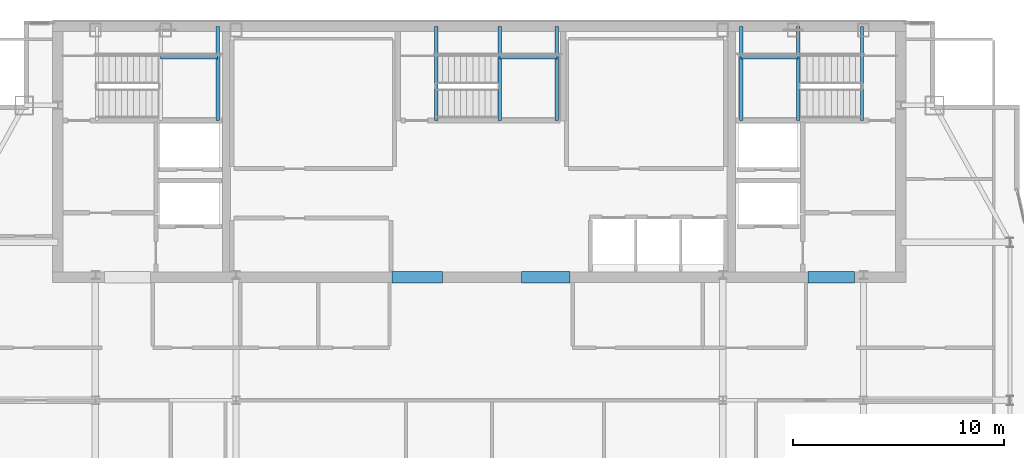
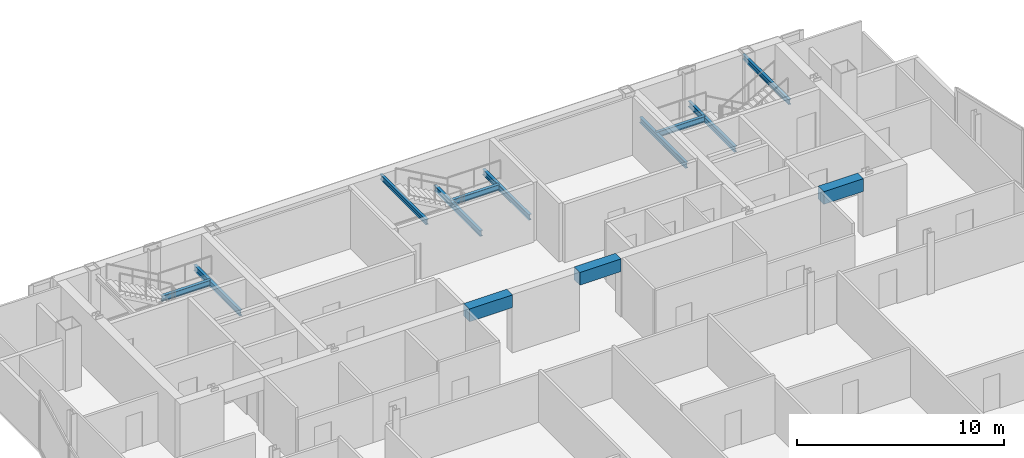
# One storey, part 21 of 29: 13 beams.
"""IFC4 building model written with IfcOpenShell, lengths in metres."""

from ifc_helpers import new_model, si_unit, direction, frame, origin, origin_2d, place, context, subcontext, project, spatial, rectangle, i_section, extrude, material, material_profile, profile_set, type_object, element, save


model = new_model("IFC4")

# Units and contexts
model_context = context("Model", 3, precision=1e-05, world=origin(), true_north=direction((0.0, 1.0)))
body_context = subcontext(model_context, "Body", "Model", "MODEL_VIEW")
ifc_project = project(units=[si_unit("LENGTHUNIT", "METRE"), si_unit("AREAUNIT", "SQUARE_METRE"), si_unit("VOLUMEUNIT", "CUBIC_METRE"), si_unit("PLANEANGLEUNIT", "RADIAN"), si_unit("MASSUNIT", "GRAM", prefix="KILO")], contexts=[model_context])

# Site, building, storey
site_placement = place(None, origin())
site = spatial("IfcSite", under=ifc_project, at=site_placement, CompositionType="ELEMENT")
building_placement = place(site_placement, origin())
building = spatial("IfcBuilding", under=site, at=building_placement, Name="Khoronbel Lancet Exchange", CompositionType="ELEMENT")
storey_placement = place(building_placement, frame((0.0, 0.0, 321.800048828125)))
storey = spatial("IfcBuildingStorey", under=building, at=storey_placement, Name="L83", CompositionType="ELEMENT", Elevation=321.800048828125)

# Beams
ifc_material_1 = material(Name="Steel S355", Category="steel")
ifc_material_profile_1 = material_profile(ifc_material_1, i_section(OverallWidth=0.159912109375, OverallDepth=0.330078125, WebThickness=0.007568359375, FlangeThickness=0.011474609375, at=origin_2d()), Name="IPE 330")
ifc_profile_set_1 = profile_set([ifc_material_profile_1], Name="Steel S355")
beam_type_1 = type_object("IfcBeamType", Name="BM-BJ7", PredefinedType="JOIST", material=ifc_profile_set_1)
beam_1_placement = place(storey_placement, frame((24.030029296875, 48.97998046875, 1.43505859375), z_axis=(0.0, 1.0, 0.0), x_axis=(-1.0, 0.0, 0.0)))
element("IfcBeam", 1, at=beam_1_placement, inside=storey, type_object=beam_type_1, Name="Level L83 stair ST1 rear landing bearer beam 1", PredefinedType="JOIST", context=body_context, shape_type="SweptSolid", body=[
    extrude(i_section(OverallWidth=0.159912109375, OverallDepth=0.330078125, WebThickness=0.007568359375, FlangeThickness=0.011474609375, at=origin_2d()), origin(), (0.0, 0.0, 1.0), 4.469970703125),
])
beam_2_placement = place(storey_placement, frame((21.320068359375, 51.97998046875, 1.43505859375), z_axis=(1.0, 0.0, 0.0), x_axis=(0.0, 1.0, 0.0)))
element("IfcBeam", 2, at=beam_2_placement, inside=storey, type_object=beam_type_1, Name="Level L83 stair ST1 landing cross trimmer beam 1", PredefinedType="JOIST", context=body_context, shape_type="SweptSolid", body=[
    extrude(i_section(OverallWidth=0.159912109375, OverallDepth=0.330078125, WebThickness=0.007568359375, FlangeThickness=0.011474609375, at=origin_2d()), origin(), (0.0, 0.0, 1.0), 2.7099609375),
])
for number, where, z_axis, x_axis, name in (
    (3, (51.580078125, 48.97998046875, 1.43505859375), (0.0, 1.0, 0.0), (-1.0, 0.0, 0.0), "Level L83 stair ST2 landing bearer beam 1"),
    (4, (48.8701171875, 48.97998046875, 1.43505859375), (0.0, 1.0, 0.0), (-1.0, 0.0, 0.0), "Level L83 stair ST2 rear landing bearer beam 1"),
):
    element("IfcBeam", number, at=place(storey_placement, frame(where, z_axis=z_axis, x_axis=x_axis)), inside=storey, type_object=beam_type_1, Name=name, PredefinedType="JOIST", context=body_context, shape_type="SweptSolid", body=[
        extrude(i_section(OverallWidth=0.159912109375, OverallDepth=0.330078125, WebThickness=0.007568359375, FlangeThickness=0.011474609375, at=origin_2d()), origin(), (0.0, 0.0, 1.0), 4.469970703125),
    ])
beam_3_placement = place(storey_placement, frame((48.8701171875, 51.97998046875, 1.43505859375), z_axis=(1.0, 0.0, 0.0), x_axis=(0.0, 1.0, 0.0)))
element("IfcBeam", 5, at=beam_3_placement, inside=storey, type_object=beam_type_1, Name="Level L83 stair ST2 landing cross trimmer beam 1", PredefinedType="JOIST", context=body_context, shape_type="SweptSolid", body=[
    extrude(i_section(OverallWidth=0.159912109375, OverallDepth=0.330078125, WebThickness=0.007568359375, FlangeThickness=0.011474609375, at=origin_2d()), origin(), (0.0, 0.0, 1.0), 2.7099609375),
])
for number, where, z_axis, x_axis, name in (
    (6, (37.419921875, 48.97998046875, 1.43505859375), (0.0, 1.0, 0.0), (-1.0, 0.0, 0.0), "Level L83 stair ST3 landing bearer beam 1"),
    (7, (40.1298828125, 48.97998046875, 1.43505859375), (0.0, 1.0, 0.0), (-1.0, 0.0, 0.0), "Level L83 stair ST3 rear landing bearer beam 1"),
):
    element("IfcBeam", number, at=place(storey_placement, frame(where, z_axis=z_axis, x_axis=x_axis)), inside=storey, type_object=beam_type_1, Name=name, PredefinedType="JOIST", context=body_context, shape_type="SweptSolid", body=[
        extrude(i_section(OverallWidth=0.159912109375, OverallDepth=0.330078125, WebThickness=0.007568359375, FlangeThickness=0.011474609375, at=origin_2d()), origin(), (0.0, 0.0, 1.0), 4.469970703125),
    ])
beam_4_placement = place(storey_placement, frame((37.419921875, 51.97998046875, 1.43505859375), z_axis=(1.0, 0.0, 0.0), x_axis=(0.0, 1.0, 0.0)))
element("IfcBeam", 8, at=beam_4_placement, inside=storey, type_object=beam_type_1, Name="Level L83 stair ST3 landing cross trimmer beam 1", PredefinedType="JOIST", context=body_context, shape_type="SweptSolid", body=[
    extrude(i_section(OverallWidth=0.159912109375, OverallDepth=0.330078125, WebThickness=0.007568359375, FlangeThickness=0.011474609375, at=origin_2d()), origin(), (0.0, 0.0, 1.0), 2.7099609375),
])
ifc_material_profile_2 = material_profile(ifc_material_1, i_section(OverallWidth=0.14990234375, OverallDepth=0.300048828125, WebThickness=0.007080078125, FlangeThickness=0.0107421875, at=origin_2d()), Name="IPE 300")
ifc_profile_set_2 = profile_set([ifc_material_profile_2], Name="Steel S355")
beam_type_2 = type_object("IfcBeamType", Name="BM-BJ8", PredefinedType="JOIST", material=ifc_profile_set_2)
for number, where, z_axis, x_axis, name in (
    (9, (54.60009765625, 48.97998046875, 3.159912109375), (0.0, 1.0, 0.0), (-1.0, 0.0, 0.0), "Level L83 stair ST2 upper-flight arrival trimmer beam"),
    (10, (34.39990234375, 48.97998046875, 3.159912109375), (0.0, 1.0, 0.0), (-1.0, 0.0, 0.0), "Level L83 stair ST3 upper-flight arrival trimmer beam"),
):
    element("IfcBeam", number, at=place(storey_placement, frame(where, z_axis=z_axis, x_axis=x_axis)), inside=storey, type_object=beam_type_2, Name=name, PredefinedType="JOIST", context=body_context, shape_type="SweptSolid", body=[
        extrude(i_section(OverallWidth=0.14990234375, OverallDepth=0.300048828125, WebThickness=0.007080078125, FlangeThickness=0.0107421875, at=origin_2d()), origin(), (0.0, 0.0, 1.0), 4.469970703125),
    ])
ifc_material_2 = material(Name="Concrete C60/75", Category="concrete")
ifc_material_profile_3 = material_profile(ifc_material_2, rectangle(XDim=0.550048828125, YDim=0.75, at=origin_2d()), Name="RC 550x750")
ifc_profile_set_3 = profile_set([ifc_material_profile_3], Name="Concrete C60/75")
beam_type_3 = type_object("IfcBeamType", Name="BM-BL2", PredefinedType="LINTEL", material=ifc_profile_set_3)
beam_5_placement = place(storey_placement, frame((32.300048828125, 41.550048828125, 3.06494140625), z_axis=(1.0, 0.0, 0.0), x_axis=(0.0, 1.0, 0.0)))
element("IfcBeam", 11, at=beam_5_placement, inside=storey, type_object=beam_type_3, Name="Level L83 rear core coupling lintel L2", PredefinedType="LINTEL", context=body_context, shape_type="SweptSolid", body=[
    extrude(rectangle(XDim=0.550048828125, YDim=0.75, at=origin_2d()), origin(), (0.0, 0.0, 1.0), 2.39990234375),
])
beam_6_placement = place(storey_placement, frame((38.449951171875, 41.550048828125, 3.06494140625), z_axis=(1.0, 0.0, 0.0), x_axis=(0.0, 1.0, 0.0)))
element("IfcBeam", 12, at=beam_6_placement, inside=storey, type_object=beam_type_3, Name="Level L83 rear core coupling lintel L3", PredefinedType="LINTEL", context=body_context, shape_type="SweptSolid", body=[
    extrude(rectangle(XDim=0.550048828125, YDim=0.75, at=origin_2d()), origin(), (0.0, 0.0, 1.0), 2.300048828125),
])
beam_7_placement = place(storey_placement, frame((52.050048828125, 41.550048828125, 3.06494140625), z_axis=(1.0, 0.0, 0.0), x_axis=(0.0, 1.0, 0.0)))
element("IfcBeam", 13, at=beam_7_placement, inside=storey, type_object=beam_type_3, Name="Level L83 rear core coupling lintel L4", PredefinedType="LINTEL", context=body_context, shape_type="SweptSolid", body=[
    extrude(rectangle(XDim=0.550048828125, YDim=0.75, at=origin_2d()), origin(), (0.0, 0.0, 1.0), 2.199951171875),
])

save(model, "model.ifc")
